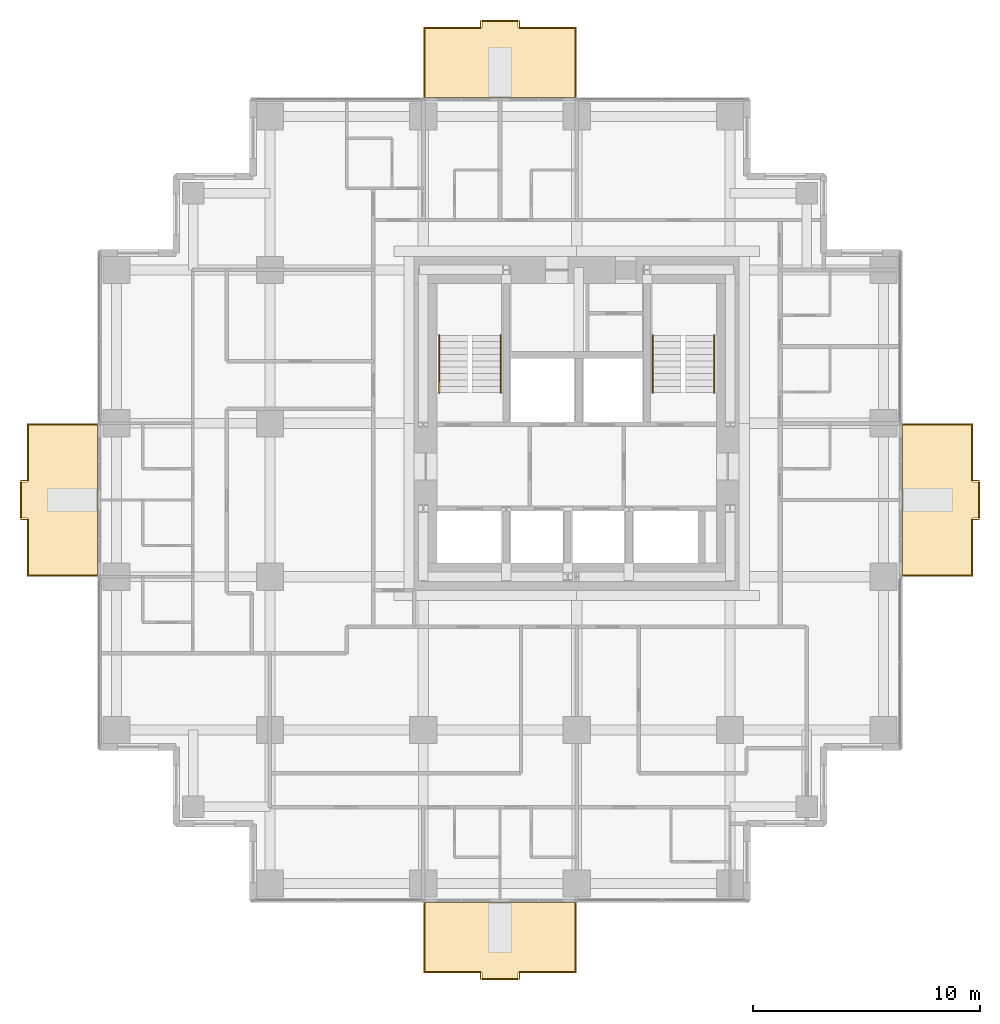
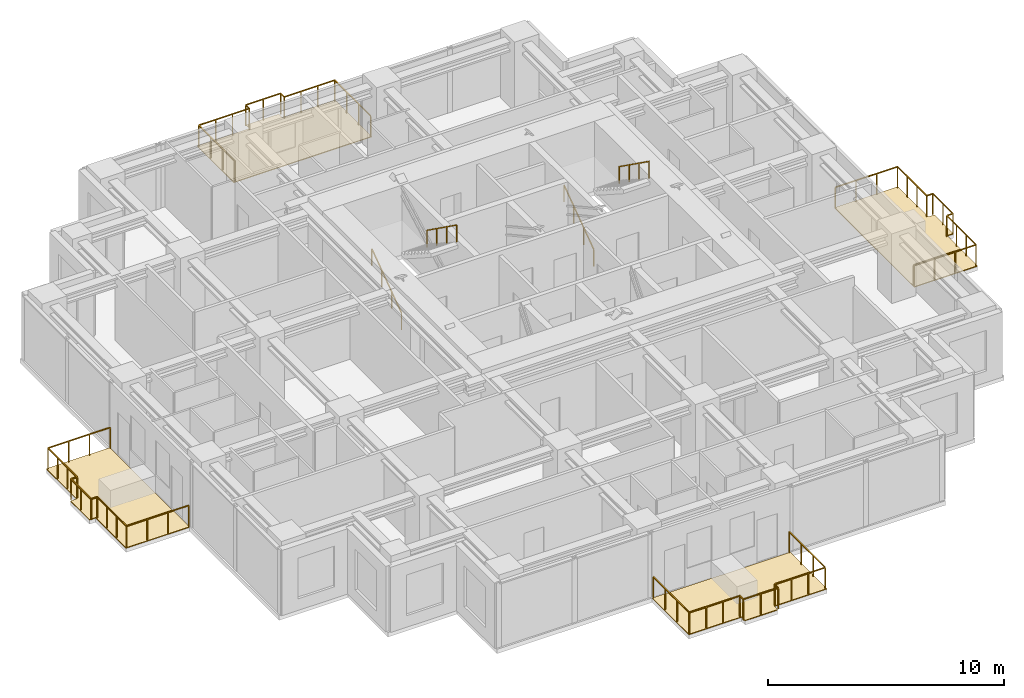
# One storey, part 10 of 10: 8 railings, 4 coverings.
"""IFC4 building model written with IfcOpenShell, lengths in metres."""

from ifc_helpers import new_model, si_unit, direction, frame, origin, origin_2d, place, context, subcontext, project, spatial, polyline, rectangle, outline, extrude, material, layer, layer_set, type_object, element, save


model = new_model("IFC4")

# Units and contexts
model_context = context("Model", 3, precision=1e-05, world=origin(), true_north=direction((0.0, 1.0)))
body_context = subcontext(model_context, "Body", "Model", "MODEL_VIEW")
ifc_project = project(units=[si_unit("LENGTHUNIT", "METRE"), si_unit("AREAUNIT", "SQUARE_METRE"), si_unit("VOLUMEUNIT", "CUBIC_METRE"), si_unit("PLANEANGLEUNIT", "RADIAN"), si_unit("MASSUNIT", "GRAM", prefix="KILO")], contexts=[model_context])

# Site, building, storey
site_placement = place(None, origin())
site = spatial("IfcSite", under=ifc_project, at=site_placement, CompositionType="ELEMENT")
building_placement = place(site_placement, origin())
building = spatial("IfcBuilding", under=site, at=building_placement, Name="Nyansa Garden Tower", CompositionType="ELEMENT")
storey_placement = place(building_placement, frame((0.0, 0.0, 192.60009765625)))
storey = spatial("IfcBuildingStorey", under=building, at=storey_placement, Name="L52", CompositionType="ELEMENT", Elevation=192.60009765625)

# Coverings
ifc_material_1 = material(Name="Hardwood decking on pedestals", Category="wood")
ifc_layer = layer(ifc_material_1, 0.0400390625)
ifc_layer_set = layer_set([ifc_layer], Name="Balcony decking DK40")
covering_type = type_object("IfcCoveringType", Name="Balcony decking DK40", PredefinedType="FLOORING", material=ifc_layer_set)
covering_1_placement = place(storey_placement, frame((0.0, 0.0, -0.0400390625)))
element("IfcCovering", 1, at=covering_1_placement, inside=storey, type_object=covering_type, Name="Balcony decking L52", PredefinedType="FLOORING", context=body_context, shape_type="SweptSolid", body=[
    extrude(outline(polyline([(13.5, -0.85009765625), (20.25, -0.85009765625), (20.25, -3.949951171875), (17.675048828125, -3.949951171875), (17.675048828125, -4.25), (16.074951171875, -4.25), (16.074951171875, -3.949951171875), (13.5, -3.949951171875), (13.5, -0.85009765625)])), origin(), (0.0, 0.0, 1.0), 0.0400390625),
])
covering_2_placement = place(storey_placement, frame((0.0, 0.0, -0.0400390625)))
element("IfcCovering", 2, at=covering_2_placement, inside=storey, type_object=covering_type, Name="Balcony decking L52", PredefinedType="FLOORING", context=body_context, shape_type="SweptSolid", body=[
    extrude(outline(polyline([(34.60009765625, 13.5), (34.60009765625, 20.25), (37.699951171875, 20.25), (37.699951171875, 17.675048828125), (38.0, 17.675048828125), (38.0, 16.074951171875), (37.699951171875, 16.074951171875), (37.699951171875, 13.5), (34.60009765625, 13.5)])), origin(), (0.0, 0.0, 1.0), 0.0400390625),
])
covering_3_placement = place(storey_placement, frame((0.0, 0.0, -0.0400390625)))
element("IfcCovering", 3, at=covering_3_placement, inside=storey, type_object=covering_type, Name="Balcony decking L52", PredefinedType="FLOORING", context=body_context, shape_type="SweptSolid", body=[
    extrude(outline(polyline([(13.5, 34.60009765625), (20.25, 34.60009765625), (20.25, 37.699951171875), (17.675048828125, 37.699951171875), (17.675048828125, 38.0), (16.074951171875, 38.0), (16.074951171875, 37.699951171875), (13.5, 37.699951171875), (13.5, 34.60009765625)])), origin(), (0.0, 0.0, 1.0), 0.0400390625),
])
covering_4_placement = place(storey_placement, frame((0.0, 0.0, -0.0400390625)))
element("IfcCovering", 4, at=covering_4_placement, inside=storey, type_object=covering_type, Name="Balcony decking L52", PredefinedType="FLOORING", context=body_context, shape_type="SweptSolid", body=[
    extrude(outline(polyline([(-0.85009765625, 13.5), (-0.85009765625, 20.25), (-3.949951171875, 20.25), (-3.949951171875, 17.675048828125), (-4.25, 17.675048828125), (-4.25, 16.074951171875), (-3.949951171875, 16.074951171875), (-3.949951171875, 13.5), (-0.85009765625, 13.5)])), origin(), (0.0, 0.0, 1.0), 0.0400390625),
])

# Railings
ifc_material_2 = material(Name="Black powder-coated steel balusters, laminated glass infill", Category="steel")
railing_type_1 = type_object("IfcRailingType", Name="Balcony guard G1", PredefinedType="GUARDRAIL", material=ifc_material_2)
railing_1_placement = place(storey_placement, frame((13.550048828125, -0.85009765625, 0.0)))
element("IfcRailing", 5, at=railing_1_placement, inside=storey, type_object=railing_type_1, Name="Balcony guard L52", PredefinedType="GUARDRAIL", context=body_context, shape_type="SweptSolid", body=[
    extrude(rectangle(XDim=0.048095703125, YDim=0.048095703125, at=origin_2d()), frame((0.0, 0.0, 1.076171875), z_axis=(0.0, -1.0, 0.0), x_axis=(1.0, 0.0, 0.0)), (0.0, 0.0, 1.0), 3.0498046875),
    extrude(rectangle(XDim=0.048095703125, YDim=0.048095703125, at=origin_2d()), frame((0.0, -3.0498046875, 1.076171875), z_axis=(1.0, 0.0, 0.0), x_axis=(0.0, 1.0, 0.0)), (0.0, 0.0, 1.0), 2.474853515625),
    extrude(rectangle(XDim=0.048095703125, YDim=0.048095703125, at=origin_2d()), frame((2.474853515625, -3.0498046875, 1.076171875), z_axis=(0.0, -1.0, 0.0), x_axis=(1.0, 0.0, 0.0)), (0.0, 0.0, 1.0), 0.300048828125),
    extrude(rectangle(XDim=0.048095703125, YDim=0.048095703125, at=origin_2d()), frame((2.474853515625, -3.349853515625, 1.076171875), z_axis=(1.0, 0.0, 0.0), x_axis=(0.0, 1.0, 0.0)), (0.0, 0.0, 1.0), 1.7001953125),
    extrude(rectangle(XDim=0.048095703125, YDim=0.048095703125, at=origin_2d()), frame((4.175048828125, -3.349853515625, 1.076171875), z_axis=(0.0, 1.0, 0.0), x_axis=(-1.0, 0.0, 0.0)), (0.0, 0.0, 1.0), 0.300048828125),
    extrude(rectangle(XDim=0.048095703125, YDim=0.048095703125, at=origin_2d()), frame((4.175048828125, -3.0498046875, 1.076171875), z_axis=(1.0, 0.0, 0.0), x_axis=(0.0, 1.0, 0.0)), (0.0, 0.0, 1.0), 2.474853515625),
    extrude(rectangle(XDim=0.048095703125, YDim=0.048095703125, at=origin_2d()), frame((6.64990234375, -3.0498046875, 1.076171875), z_axis=(0.0, 1.0, 0.0), x_axis=(-1.0, 0.0, 0.0)), (0.0, 0.0, 1.0), 3.0498046875),
    extrude(rectangle(XDim=0.0419921875, YDim=0.0419921875, at=origin_2d()), origin(), (0.0, 0.0, 1.0), 1.052001953125),
    extrude(rectangle(XDim=0.0419921875, YDim=0.0419921875, at=origin_2d()), frame((0.0, -1.0166015625, 0.0)), (0.0, 0.0, 1.0), 1.052001953125),
    extrude(rectangle(XDim=0.0419921875, YDim=0.0419921875, at=origin_2d()), frame((0.0, -2.033203125, 0.0)), (0.0, 0.0, 1.0), 1.052001953125),
    extrude(rectangle(XDim=0.0419921875, YDim=0.0419921875, at=origin_2d()), frame((0.0, -3.0498046875, 0.0)), (0.0, 0.0, 1.0), 1.052001953125),
    extrude(rectangle(XDim=0.0419921875, YDim=0.0419921875, at=origin_2d()), frame((0.824951171875, -3.0498046875, 0.0)), (0.0, 0.0, 1.0), 1.052001953125),
    extrude(rectangle(XDim=0.0419921875, YDim=0.0419921875, at=origin_2d()), frame((1.64990234375, -3.0498046875, 0.0)), (0.0, 0.0, 1.0), 1.052001953125),
    extrude(rectangle(XDim=0.0419921875, YDim=0.0419921875, at=origin_2d()), frame((2.474853515625, -3.0498046875, 0.0)), (0.0, 0.0, 1.0), 1.052001953125),
    extrude(rectangle(XDim=0.0419921875, YDim=0.0419921875, at=origin_2d()), frame((2.474853515625, -3.349853515625, 0.0)), (0.0, 0.0, 1.0), 1.052001953125),
    extrude(rectangle(XDim=0.0419921875, YDim=0.0419921875, at=origin_2d()), frame((3.324951171875, -3.349853515625, 0.0)), (0.0, 0.0, 1.0), 1.052001953125),
    extrude(rectangle(XDim=0.0419921875, YDim=0.0419921875, at=origin_2d()), frame((4.175048828125, -3.349853515625, 0.0)), (0.0, 0.0, 1.0), 1.052001953125),
    extrude(rectangle(XDim=0.0419921875, YDim=0.0419921875, at=origin_2d()), frame((4.175048828125, -3.0498046875, 0.0)), (0.0, 0.0, 1.0), 1.052001953125),
    extrude(rectangle(XDim=0.0419921875, YDim=0.0419921875, at=origin_2d()), frame((5.0, -3.0498046875, 0.0)), (0.0, 0.0, 1.0), 1.052001953125),
    extrude(rectangle(XDim=0.0419921875, YDim=0.0419921875, at=origin_2d()), frame((5.824951171875, -3.0498046875, 0.0)), (0.0, 0.0, 1.0), 1.052001953125),
    extrude(rectangle(XDim=0.0419921875, YDim=0.0419921875, at=origin_2d()), frame((6.64990234375, -3.0498046875, 0.0)), (0.0, 0.0, 1.0), 1.052001953125),
    extrude(rectangle(XDim=0.0419921875, YDim=0.0419921875, at=origin_2d()), frame((6.64990234375, -2.033203125, 0.0)), (0.0, 0.0, 1.0), 1.052001953125),
    extrude(rectangle(XDim=0.0419921875, YDim=0.0419921875, at=origin_2d()), frame((6.64990234375, -1.0166015625, 0.0)), (0.0, 0.0, 1.0), 1.052001953125),
    extrude(rectangle(XDim=0.0419921875, YDim=0.0419921875, at=origin_2d()), frame((6.64990234375, 0.0, 0.0)), (0.0, 0.0, 1.0), 1.052001953125),
])
railing_2_placement = place(storey_placement, frame((34.60009765625, 13.550048828125, 0.0)))
element("IfcRailing", 6, at=railing_2_placement, inside=storey, type_object=railing_type_1, Name="Balcony guard L52", PredefinedType="GUARDRAIL", context=body_context, shape_type="SweptSolid", body=[
    extrude(rectangle(XDim=0.048095703125, YDim=0.048095703125, at=origin_2d()), frame((0.0, 0.0, 1.076171875), z_axis=(1.0, 0.0, 0.0), x_axis=(0.0, 1.0, 0.0)), (0.0, 0.0, 1.0), 3.0498046875),
    extrude(rectangle(XDim=0.048095703125, YDim=0.048095703125, at=origin_2d()), frame((3.0498046875, 0.0, 1.076171875), z_axis=(0.0, 1.0, 0.0), x_axis=(-1.0, 0.0, 0.0)), (0.0, 0.0, 1.0), 2.474853515625),
    extrude(rectangle(XDim=0.048095703125, YDim=0.048095703125, at=origin_2d()), frame((3.0498046875, 2.474853515625, 1.076171875), z_axis=(1.0, 0.0, 0.0), x_axis=(0.0, 1.0, 0.0)), (0.0, 0.0, 1.0), 0.300048828125),
    extrude(rectangle(XDim=0.048095703125, YDim=0.048095703125, at=origin_2d()), frame((3.349853515625, 2.474853515625, 1.076171875), z_axis=(0.0, 1.0, 0.0), x_axis=(-1.0, 0.0, 0.0)), (0.0, 0.0, 1.0), 1.7001953125),
    extrude(rectangle(XDim=0.048095703125, YDim=0.048095703125, at=origin_2d()), frame((3.349853515625, 4.175048828125, 1.076171875), z_axis=(-1.0, 0.0, 0.0), x_axis=(0.0, -1.0, 0.0)), (0.0, 0.0, 1.0), 0.300048828125),
    extrude(rectangle(XDim=0.048095703125, YDim=0.048095703125, at=origin_2d()), frame((3.0498046875, 4.175048828125, 1.076171875), z_axis=(0.0, 1.0, 0.0), x_axis=(-1.0, 0.0, 0.0)), (0.0, 0.0, 1.0), 2.474853515625),
    extrude(rectangle(XDim=0.048095703125, YDim=0.048095703125, at=origin_2d()), frame((3.0498046875, 6.64990234375, 1.076171875), z_axis=(-1.0, 0.0, 0.0), x_axis=(0.0, -1.0, 0.0)), (0.0, 0.0, 1.0), 3.0498046875),
    extrude(rectangle(XDim=0.0419921875, YDim=0.0419921875, at=origin_2d()), origin(), (0.0, 0.0, 1.0), 1.052001953125),
    extrude(rectangle(XDim=0.0419921875, YDim=0.0419921875, at=origin_2d()), frame((1.0166015625, 0.0, 0.0)), (0.0, 0.0, 1.0), 1.052001953125),
    extrude(rectangle(XDim=0.0419921875, YDim=0.0419921875, at=origin_2d()), frame((2.033203125, 0.0, 0.0)), (0.0, 0.0, 1.0), 1.052001953125),
    extrude(rectangle(XDim=0.0419921875, YDim=0.0419921875, at=origin_2d()), frame((3.0498046875, 0.0, 0.0)), (0.0, 0.0, 1.0), 1.052001953125),
    extrude(rectangle(XDim=0.0419921875, YDim=0.0419921875, at=origin_2d()), frame((3.0498046875, 0.824951171875, 0.0)), (0.0, 0.0, 1.0), 1.052001953125),
    extrude(rectangle(XDim=0.0419921875, YDim=0.0419921875, at=origin_2d()), frame((3.0498046875, 1.64990234375, 0.0)), (0.0, 0.0, 1.0), 1.052001953125),
    extrude(rectangle(XDim=0.0419921875, YDim=0.0419921875, at=origin_2d()), frame((3.0498046875, 2.474853515625, 0.0)), (0.0, 0.0, 1.0), 1.052001953125),
    extrude(rectangle(XDim=0.0419921875, YDim=0.0419921875, at=origin_2d()), frame((3.349853515625, 2.474853515625, 0.0)), (0.0, 0.0, 1.0), 1.052001953125),
    extrude(rectangle(XDim=0.0419921875, YDim=0.0419921875, at=origin_2d()), frame((3.349853515625, 3.324951171875, 0.0)), (0.0, 0.0, 1.0), 1.052001953125),
    extrude(rectangle(XDim=0.0419921875, YDim=0.0419921875, at=origin_2d()), frame((3.349853515625, 4.175048828125, 0.0)), (0.0, 0.0, 1.0), 1.052001953125),
    extrude(rectangle(XDim=0.0419921875, YDim=0.0419921875, at=origin_2d()), frame((3.0498046875, 4.175048828125, 0.0)), (0.0, 0.0, 1.0), 1.052001953125),
    extrude(rectangle(XDim=0.0419921875, YDim=0.0419921875, at=origin_2d()), frame((3.0498046875, 5.0, 0.0)), (0.0, 0.0, 1.0), 1.052001953125),
    extrude(rectangle(XDim=0.0419921875, YDim=0.0419921875, at=origin_2d()), frame((3.0498046875, 5.824951171875, 0.0)), (0.0, 0.0, 1.0), 1.052001953125),
    extrude(rectangle(XDim=0.0419921875, YDim=0.0419921875, at=origin_2d()), frame((3.0498046875, 6.64990234375, 0.0)), (0.0, 0.0, 1.0), 1.052001953125),
    extrude(rectangle(XDim=0.0419921875, YDim=0.0419921875, at=origin_2d()), frame((2.033203125, 6.64990234375, 0.0)), (0.0, 0.0, 1.0), 1.052001953125),
    extrude(rectangle(XDim=0.0419921875, YDim=0.0419921875, at=origin_2d()), frame((1.0166015625, 6.64990234375, 0.0)), (0.0, 0.0, 1.0), 1.052001953125),
    extrude(rectangle(XDim=0.0419921875, YDim=0.0419921875, at=origin_2d()), frame((0.0, 6.64990234375, 0.0)), (0.0, 0.0, 1.0), 1.052001953125),
])
railing_3_placement = place(storey_placement, frame((13.550048828125, 34.60009765625, 0.0)))
element("IfcRailing", 7, at=railing_3_placement, inside=storey, type_object=railing_type_1, Name="Balcony guard L52", PredefinedType="GUARDRAIL", context=body_context, shape_type="SweptSolid", body=[
    extrude(rectangle(XDim=0.048095703125, YDim=0.048095703125, at=origin_2d()), frame((0.0, 0.0, 1.076171875), z_axis=(0.0, 1.0, 0.0), x_axis=(-1.0, 0.0, 0.0)), (0.0, 0.0, 1.0), 3.0498046875),
    extrude(rectangle(XDim=0.048095703125, YDim=0.048095703125, at=origin_2d()), frame((0.0, 3.0498046875, 1.076171875), z_axis=(1.0, 0.0, 0.0), x_axis=(0.0, 1.0, 0.0)), (0.0, 0.0, 1.0), 2.474853515625),
    extrude(rectangle(XDim=0.048095703125, YDim=0.048095703125, at=origin_2d()), frame((2.474853515625, 3.0498046875, 1.076171875), z_axis=(0.0, 1.0, 0.0), x_axis=(-1.0, 0.0, 0.0)), (0.0, 0.0, 1.0), 0.300048828125),
    extrude(rectangle(XDim=0.048095703125, YDim=0.048095703125, at=origin_2d()), frame((2.474853515625, 3.349853515625, 1.076171875), z_axis=(1.0, 0.0, 0.0), x_axis=(0.0, 1.0, 0.0)), (0.0, 0.0, 1.0), 1.7001953125),
    extrude(rectangle(XDim=0.048095703125, YDim=0.048095703125, at=origin_2d()), frame((4.175048828125, 3.349853515625, 1.076171875), z_axis=(0.0, -1.0, 0.0), x_axis=(1.0, 0.0, 0.0)), (0.0, 0.0, 1.0), 0.300048828125),
    extrude(rectangle(XDim=0.048095703125, YDim=0.048095703125, at=origin_2d()), frame((4.175048828125, 3.0498046875, 1.076171875), z_axis=(1.0, 0.0, 0.0), x_axis=(0.0, 1.0, 0.0)), (0.0, 0.0, 1.0), 2.474853515625),
    extrude(rectangle(XDim=0.048095703125, YDim=0.048095703125, at=origin_2d()), frame((6.64990234375, 3.0498046875, 1.076171875), z_axis=(0.0, -1.0, 0.0), x_axis=(1.0, 0.0, 0.0)), (0.0, 0.0, 1.0), 3.0498046875),
    extrude(rectangle(XDim=0.0419921875, YDim=0.0419921875, at=origin_2d()), origin(), (0.0, 0.0, 1.0), 1.052001953125),
    extrude(rectangle(XDim=0.0419921875, YDim=0.0419921875, at=origin_2d()), frame((0.0, 1.0166015625, 0.0)), (0.0, 0.0, 1.0), 1.052001953125),
    extrude(rectangle(XDim=0.0419921875, YDim=0.0419921875, at=origin_2d()), frame((0.0, 2.033203125, 0.0)), (0.0, 0.0, 1.0), 1.052001953125),
    extrude(rectangle(XDim=0.0419921875, YDim=0.0419921875, at=origin_2d()), frame((0.0, 3.0498046875, 0.0)), (0.0, 0.0, 1.0), 1.052001953125),
    extrude(rectangle(XDim=0.0419921875, YDim=0.0419921875, at=origin_2d()), frame((0.824951171875, 3.0498046875, 0.0)), (0.0, 0.0, 1.0), 1.052001953125),
    extrude(rectangle(XDim=0.0419921875, YDim=0.0419921875, at=origin_2d()), frame((1.64990234375, 3.0498046875, 0.0)), (0.0, 0.0, 1.0), 1.052001953125),
    extrude(rectangle(XDim=0.0419921875, YDim=0.0419921875, at=origin_2d()), frame((2.474853515625, 3.0498046875, 0.0)), (0.0, 0.0, 1.0), 1.052001953125),
    extrude(rectangle(XDim=0.0419921875, YDim=0.0419921875, at=origin_2d()), frame((2.474853515625, 3.349853515625, 0.0)), (0.0, 0.0, 1.0), 1.052001953125),
    extrude(rectangle(XDim=0.0419921875, YDim=0.0419921875, at=origin_2d()), frame((3.324951171875, 3.349853515625, 0.0)), (0.0, 0.0, 1.0), 1.052001953125),
    extrude(rectangle(XDim=0.0419921875, YDim=0.0419921875, at=origin_2d()), frame((4.175048828125, 3.349853515625, 0.0)), (0.0, 0.0, 1.0), 1.052001953125),
    extrude(rectangle(XDim=0.0419921875, YDim=0.0419921875, at=origin_2d()), frame((4.175048828125, 3.0498046875, 0.0)), (0.0, 0.0, 1.0), 1.052001953125),
    extrude(rectangle(XDim=0.0419921875, YDim=0.0419921875, at=origin_2d()), frame((5.0, 3.0498046875, 0.0)), (0.0, 0.0, 1.0), 1.052001953125),
    extrude(rectangle(XDim=0.0419921875, YDim=0.0419921875, at=origin_2d()), frame((5.824951171875, 3.0498046875, 0.0)), (0.0, 0.0, 1.0), 1.052001953125),
    extrude(rectangle(XDim=0.0419921875, YDim=0.0419921875, at=origin_2d()), frame((6.64990234375, 3.0498046875, 0.0)), (0.0, 0.0, 1.0), 1.052001953125),
    extrude(rectangle(XDim=0.0419921875, YDim=0.0419921875, at=origin_2d()), frame((6.64990234375, 2.033203125, 0.0)), (0.0, 0.0, 1.0), 1.052001953125),
    extrude(rectangle(XDim=0.0419921875, YDim=0.0419921875, at=origin_2d()), frame((6.64990234375, 1.0166015625, 0.0)), (0.0, 0.0, 1.0), 1.052001953125),
    extrude(rectangle(XDim=0.0419921875, YDim=0.0419921875, at=origin_2d()), frame((6.64990234375, 0.0, 0.0)), (0.0, 0.0, 1.0), 1.052001953125),
])
railing_4_placement = place(storey_placement, frame((-0.85009765625, 13.550048828125, 0.0)))
element("IfcRailing", 8, at=railing_4_placement, inside=storey, type_object=railing_type_1, Name="Balcony guard L52", PredefinedType="GUARDRAIL", context=body_context, shape_type="SweptSolid", body=[
    extrude(rectangle(XDim=0.048095703125, YDim=0.048095703125, at=origin_2d()), frame((0.0, 0.0, 1.076171875), z_axis=(-1.0, 0.0, 0.0), x_axis=(0.0, -1.0, 0.0)), (0.0, 0.0, 1.0), 3.0498046875),
    extrude(rectangle(XDim=0.048095703125, YDim=0.048095703125, at=origin_2d()), frame((-3.0498046875, 0.0, 1.076171875), z_axis=(0.0, 1.0, 0.0), x_axis=(-1.0, 0.0, 0.0)), (0.0, 0.0, 1.0), 2.474853515625),
    extrude(rectangle(XDim=0.048095703125, YDim=0.048095703125, at=origin_2d()), frame((-3.0498046875, 2.474853515625, 1.076171875), z_axis=(-1.0, 0.0, 0.0), x_axis=(0.0, -1.0, 0.0)), (0.0, 0.0, 1.0), 0.300048828125),
    extrude(rectangle(XDim=0.048095703125, YDim=0.048095703125, at=origin_2d()), frame((-3.349853515625, 2.474853515625, 1.076171875), z_axis=(0.0, 1.0, 0.0), x_axis=(-1.0, 0.0, 0.0)), (0.0, 0.0, 1.0), 1.7001953125),
    extrude(rectangle(XDim=0.048095703125, YDim=0.048095703125, at=origin_2d()), frame((-3.349853515625, 4.175048828125, 1.076171875), z_axis=(1.0, 0.0, 0.0), x_axis=(0.0, 1.0, 0.0)), (0.0, 0.0, 1.0), 0.300048828125),
    extrude(rectangle(XDim=0.048095703125, YDim=0.048095703125, at=origin_2d()), frame((-3.0498046875, 4.175048828125, 1.076171875), z_axis=(0.0, 1.0, 0.0), x_axis=(-1.0, 0.0, 0.0)), (0.0, 0.0, 1.0), 2.474853515625),
    extrude(rectangle(XDim=0.048095703125, YDim=0.048095703125, at=origin_2d()), frame((-3.0498046875, 6.64990234375, 1.076171875), z_axis=(1.0, 0.0, 0.0), x_axis=(0.0, 1.0, 0.0)), (0.0, 0.0, 1.0), 3.0498046875),
    extrude(rectangle(XDim=0.0419921875, YDim=0.0419921875, at=origin_2d()), origin(), (0.0, 0.0, 1.0), 1.052001953125),
    extrude(rectangle(XDim=0.0419921875, YDim=0.0419921875, at=origin_2d()), frame((-1.0166015625, 0.0, 0.0)), (0.0, 0.0, 1.0), 1.052001953125),
    extrude(rectangle(XDim=0.0419921875, YDim=0.0419921875, at=origin_2d()), frame((-2.033203125, 0.0, 0.0)), (0.0, 0.0, 1.0), 1.052001953125),
    extrude(rectangle(XDim=0.0419921875, YDim=0.0419921875, at=origin_2d()), frame((-3.0498046875, 0.0, 0.0)), (0.0, 0.0, 1.0), 1.052001953125),
    extrude(rectangle(XDim=0.0419921875, YDim=0.0419921875, at=origin_2d()), frame((-3.0498046875, 0.824951171875, 0.0)), (0.0, 0.0, 1.0), 1.052001953125),
    extrude(rectangle(XDim=0.0419921875, YDim=0.0419921875, at=origin_2d()), frame((-3.0498046875, 1.64990234375, 0.0)), (0.0, 0.0, 1.0), 1.052001953125),
    extrude(rectangle(XDim=0.0419921875, YDim=0.0419921875, at=origin_2d()), frame((-3.0498046875, 2.474853515625, 0.0)), (0.0, 0.0, 1.0), 1.052001953125),
    extrude(rectangle(XDim=0.0419921875, YDim=0.0419921875, at=origin_2d()), frame((-3.349853515625, 2.474853515625, 0.0)), (0.0, 0.0, 1.0), 1.052001953125),
    extrude(rectangle(XDim=0.0419921875, YDim=0.0419921875, at=origin_2d()), frame((-3.349853515625, 3.324951171875, 0.0)), (0.0, 0.0, 1.0), 1.052001953125),
    extrude(rectangle(XDim=0.0419921875, YDim=0.0419921875, at=origin_2d()), frame((-3.349853515625, 4.175048828125, 0.0)), (0.0, 0.0, 1.0), 1.052001953125),
    extrude(rectangle(XDim=0.0419921875, YDim=0.0419921875, at=origin_2d()), frame((-3.0498046875, 4.175048828125, 0.0)), (0.0, 0.0, 1.0), 1.052001953125),
    extrude(rectangle(XDim=0.0419921875, YDim=0.0419921875, at=origin_2d()), frame((-3.0498046875, 5.0, 0.0)), (0.0, 0.0, 1.0), 1.052001953125),
    extrude(rectangle(XDim=0.0419921875, YDim=0.0419921875, at=origin_2d()), frame((-3.0498046875, 5.824951171875, 0.0)), (0.0, 0.0, 1.0), 1.052001953125),
    extrude(rectangle(XDim=0.0419921875, YDim=0.0419921875, at=origin_2d()), frame((-3.0498046875, 6.64990234375, 0.0)), (0.0, 0.0, 1.0), 1.052001953125),
    extrude(rectangle(XDim=0.0419921875, YDim=0.0419921875, at=origin_2d()), frame((-2.033203125, 6.64990234375, 0.0)), (0.0, 0.0, 1.0), 1.052001953125),
    extrude(rectangle(XDim=0.0419921875, YDim=0.0419921875, at=origin_2d()), frame((-1.0166015625, 6.64990234375, 0.0)), (0.0, 0.0, 1.0), 1.052001953125),
    extrude(rectangle(XDim=0.0419921875, YDim=0.0419921875, at=origin_2d()), frame((0.0, 6.64990234375, 0.0)), (0.0, 0.0, 1.0), 1.052001953125),
])
ifc_material_3 = material(Name="Black powder-coated steel tube 48 mm", Category="steel")
railing_type_2 = type_object("IfcRailingType", Name="Stair handrail HR1", PredefinedType="HANDRAIL", material=ifc_material_3)
railing_5_placement = place(storey_placement, frame((14.199951171875, 21.60009765625, 0.0)))
element("IfcRailing", 9, at=railing_5_placement, inside=storey, type_object=railing_type_2, Name="Stair S1 handrail L52", PredefinedType="HANDRAIL", context=body_context, shape_type="SweptSolid", body=[
    extrude(rectangle(XDim=0.048095703125, YDim=0.048095703125, at=origin_2d()), frame((0.0, 0.0, 0.8759765625), z_axis=(0.0, 0.813765431312, 0.581193446971), x_axis=(-1.0, 0.0, 0.0)), (0.0, 0.0, 1.0), 3.0966796875),
    extrude(rectangle(XDim=0.0419921875, YDim=0.0419921875, at=origin_2d()), origin(), (0.0, 0.0, 1.0), 0.851806640625),
    extrude(rectangle(XDim=0.0419921875, YDim=0.0419921875, at=origin_2d()), frame((0.0, 0.840087890625, 0.599853515625)), (0.0, 0.0, 1.0), 0.851806640625),
    extrude(rectangle(XDim=0.0419921875, YDim=0.0419921875, at=origin_2d()), frame((0.0, 1.679931640625, 1.199951171875)), (0.0, 0.0, 1.0), 0.851806640625),
    extrude(rectangle(XDim=0.0419921875, YDim=0.0419921875, at=origin_2d()), frame((0.0, 2.52001953125, 1.7998046875)), (0.0, 0.0, 1.0), 0.851806640625),
])
railing_6_placement = place(storey_placement, frame((16.89990234375, 24.1201171875, 1.7998046875)))
element("IfcRailing", 10, at=railing_6_placement, inside=storey, type_object=railing_type_2, Name="Stair S1 handrail L52", PredefinedType="HANDRAIL", context=body_context, shape_type="SweptSolid", body=[
    extrude(rectangle(XDim=0.048095703125, YDim=0.048095703125, at=origin_2d()), frame((0.0, 0.0, 0.8759765625), z_axis=(0.0, -0.813728144527, 0.581245650998), x_axis=(1.0, 0.0, 0.0)), (0.0, 0.0, 1.0), 3.096923828125),
    extrude(rectangle(XDim=0.0419921875, YDim=0.0419921875, at=origin_2d()), origin(), (0.0, 0.0, 1.0), 0.851806640625),
    extrude(rectangle(XDim=0.0419921875, YDim=0.0419921875, at=origin_2d()), frame((0.0, -0.840087890625, 0.60009765625)), (0.0, 0.0, 1.0), 0.851806640625),
    extrude(rectangle(XDim=0.0419921875, YDim=0.0419921875, at=origin_2d()), frame((0.0, -1.679931640625, 1.199951171875)), (0.0, 0.0, 1.0), 0.851806640625),
    extrude(rectangle(XDim=0.0419921875, YDim=0.0419921875, at=origin_2d()), frame((0.0, -2.52001953125, 1.800048828125)), (0.0, 0.0, 1.0), 0.851806640625),
])
railing_7_placement = place(storey_placement, frame((23.60009765625, 21.60009765625, 0.0)))
element("IfcRailing", 11, at=railing_7_placement, inside=storey, type_object=railing_type_2, Name="Stair S2 handrail L52", PredefinedType="HANDRAIL", context=body_context, shape_type="SweptSolid", body=[
    extrude(rectangle(XDim=0.048095703125, YDim=0.048095703125, at=origin_2d()), frame((0.0, 0.0, 0.8759765625), z_axis=(0.0, 0.813765431312, 0.581193446971), x_axis=(-1.0, 0.0, 0.0)), (0.0, 0.0, 1.0), 3.0966796875),
    extrude(rectangle(XDim=0.0419921875, YDim=0.0419921875, at=origin_2d()), origin(), (0.0, 0.0, 1.0), 0.851806640625),
    extrude(rectangle(XDim=0.0419921875, YDim=0.0419921875, at=origin_2d()), frame((0.0, 0.840087890625, 0.599853515625)), (0.0, 0.0, 1.0), 0.851806640625),
    extrude(rectangle(XDim=0.0419921875, YDim=0.0419921875, at=origin_2d()), frame((0.0, 1.679931640625, 1.199951171875)), (0.0, 0.0, 1.0), 0.851806640625),
    extrude(rectangle(XDim=0.0419921875, YDim=0.0419921875, at=origin_2d()), frame((0.0, 2.52001953125, 1.7998046875)), (0.0, 0.0, 1.0), 0.851806640625),
])
railing_8_placement = place(storey_placement, frame((26.300048828125, 24.1201171875, 1.7998046875)))
element("IfcRailing", 12, at=railing_8_placement, inside=storey, type_object=railing_type_2, Name="Stair S2 handrail L52", PredefinedType="HANDRAIL", context=body_context, shape_type="SweptSolid", body=[
    extrude(rectangle(XDim=0.048095703125, YDim=0.048095703125, at=origin_2d()), frame((0.0, 0.0, 0.8759765625), z_axis=(0.0, -0.813728144527, 0.581245650998), x_axis=(1.0, 0.0, 0.0)), (0.0, 0.0, 1.0), 3.096923828125),
    extrude(rectangle(XDim=0.0419921875, YDim=0.0419921875, at=origin_2d()), origin(), (0.0, 0.0, 1.0), 0.851806640625),
    extrude(rectangle(XDim=0.0419921875, YDim=0.0419921875, at=origin_2d()), frame((0.0, -0.840087890625, 0.60009765625)), (0.0, 0.0, 1.0), 0.851806640625),
    extrude(rectangle(XDim=0.0419921875, YDim=0.0419921875, at=origin_2d()), frame((0.0, -1.679931640625, 1.199951171875)), (0.0, 0.0, 1.0), 0.851806640625),
    extrude(rectangle(XDim=0.0419921875, YDim=0.0419921875, at=origin_2d()), frame((0.0, -2.52001953125, 1.800048828125)), (0.0, 0.0, 1.0), 0.851806640625),
])

save(model, "model.ifc")
